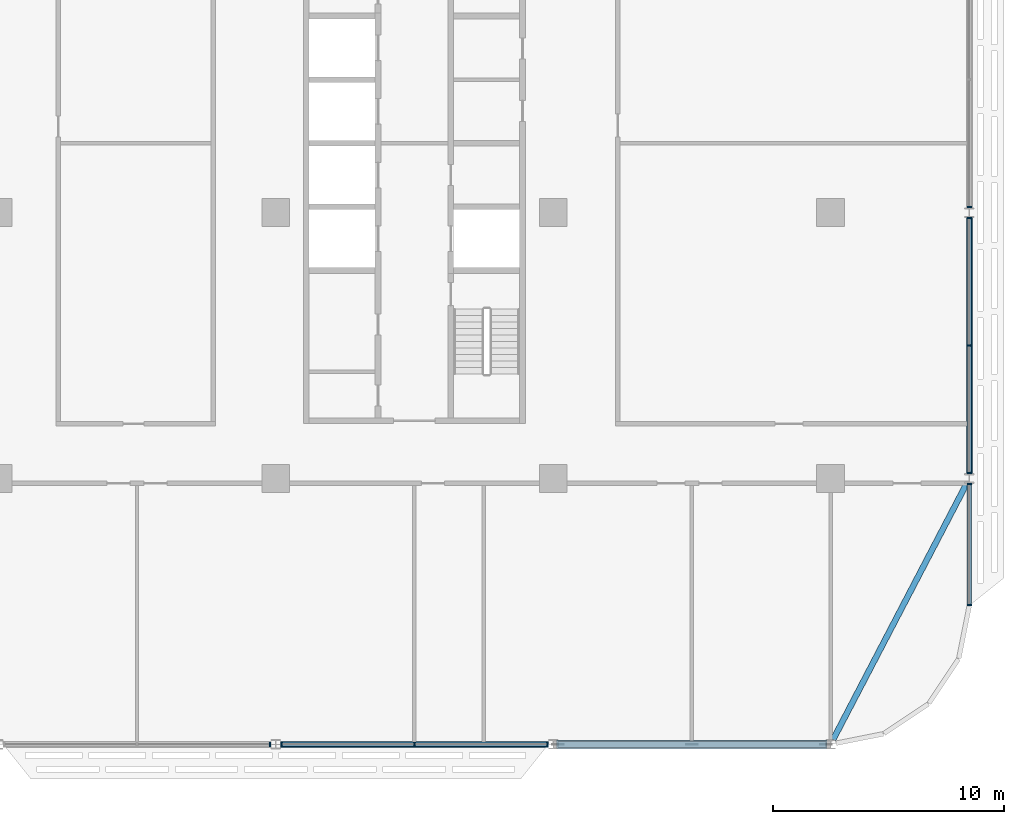
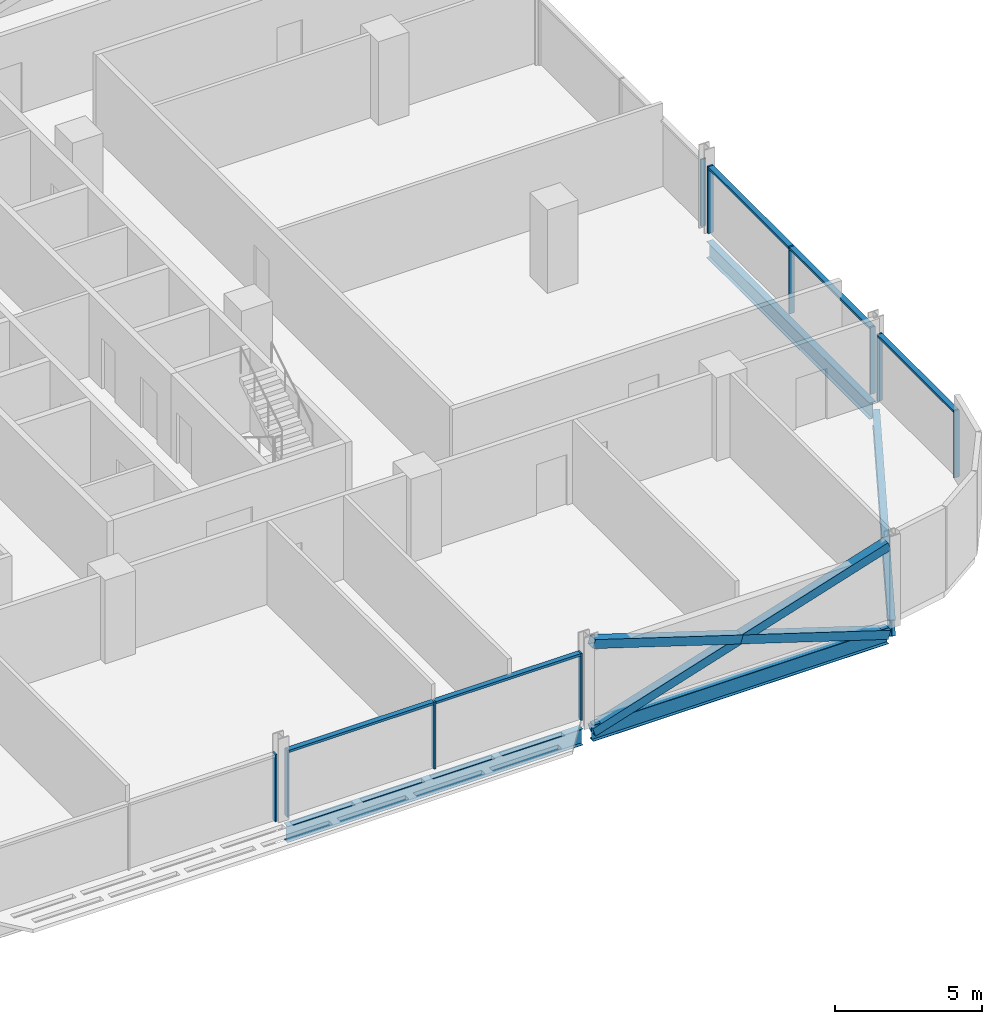
# One storey, part 8 of 27: 18 members, 4 beams, 5 elements without a shape of their own.
"""IFC4 building model written with IfcOpenShell, lengths in metres."""

from ifc_helpers import new_model, si_unit, direction, frame, origin, origin_2d, place, context, subcontext, project, spatial, rectangle, hollow_rectangle, i_section, extrude, material, material_profile, profile_set, type_object, element, aggregate, save


model = new_model("IFC4")

# Units and contexts
model_context = context("Model", 3, precision=1e-05, world=origin(), true_north=direction((0.0, 1.0)))
body_context = subcontext(model_context, "Body", "Model", "MODEL_VIEW")
ifc_project = project(units=[si_unit("LENGTHUNIT", "METRE"), si_unit("AREAUNIT", "SQUARE_METRE"), si_unit("VOLUMEUNIT", "CUBIC_METRE"), si_unit("PLANEANGLEUNIT", "RADIAN"), si_unit("MASSUNIT", "GRAM", prefix="KILO")], contexts=[model_context])

# Site, building, storey
site_placement = place(None, origin())
site = spatial("IfcSite", under=ifc_project, at=site_placement, CompositionType="ELEMENT")
building_placement = place(site_placement, origin())
building = spatial("IfcBuilding", under=site, at=building_placement, Name="Mahtab Terrace Research Tower", CompositionType="ELEMENT")
storey_placement = place(building_placement, frame((0.0, 0.0, 170.60009765625)))
storey = spatial("IfcBuildingStorey", under=building, at=storey_placement, Name="L40", CompositionType="ELEMENT", Elevation=170.60009765625)

# Members
ifc_material_1 = material(Name="Steel ASTM A500 Gr C", Category="steel")
ifc_material_profile_1 = material_profile(ifc_material_1, hollow_rectangle(XDim=0.355712890625, YDim=0.355712890625, WallThickness=0.015869140625, at=origin_2d()), Name="HSS14X14X5/8")
ifc_profile_set_1 = profile_set([ifc_material_profile_1], Name="Steel ASTM A500 Gr C")
member_type_1 = type_object("IfcMemberType", Name="HSS 14x14x5/8 brace XB141458", PredefinedType="BRACE", material=ifc_profile_set_1)
member_1_placement = place(storey_placement, frame((30.203125, -23.0, -0.61474609375), z_axis=(0.953347232701, 0.0, 0.301875891554), x_axis=(0.0, 1.0, 0.0)))
element("IfcMember", 1, at=member_1_placement, inside=storey, type_object=member_type_1, Name="Exoskeleton brace L40 18 a", PredefinedType="BRACE", context=body_context, shape_type="SweptSolid", body=[
    extrude(hollow_rectangle(XDim=0.355712890625, YDim=0.355712890625, WallThickness=0.015869140625, at=origin_2d()), origin(), (0.0, 0.0, 1.0), 12.1611328125),
])
for number, where, z_axis, x_axis, name in (
    (2, (41.796875, -23.0, -0.61474609375), (-0.953353010152, 0.0, 0.301857645313), (0.0, -1.0, 0.0), "Exoskeleton brace L40 18 b1"),
    (3, (36.0, -23.0, 1.220703125), (-0.953341454971, 0.0, 0.301894137463), (0.0, -1.0, 0.0), "Exoskeleton brace L40 18 b2"),
):
    element("IfcMember", number, at=place(storey_placement, frame(where, z_axis=z_axis, x_axis=x_axis)), inside=storey, type_object=member_type_1, Name=name, PredefinedType="BRACE", context=body_context, shape_type="SweptSolid", body=[
        extrude(hollow_rectangle(XDim=0.355712890625, YDim=0.355712890625, WallThickness=0.015869140625, at=origin_2d()), origin(), (0.0, 0.0, 1.0), 6.08056640625),
    ])

# Curtain wall, member
ifc_material_2 = material(Name="Laboratory ribbon curtain wall")
curtain_wall_type = type_object("IfcCurtainWallType", Name="Laboratory ribbon curtain wall", PredefinedType="NOTDEFINED", material=ifc_material_2)
curtain_wall_1_placement = place(storey_placement, origin())
curtain_wall_1 = element("IfcCurtainWall", 4, at=curtain_wall_1_placement, inside=storey, type_object=curtain_wall_type, Name="EN.L40.13.27", PredefinedType="NOTDEFINED")
ifc_material_3 = material(Name="Natural anodised aluminium", Category="aluminium")
ifc_material_profile_2 = material_profile(ifc_material_3, rectangle(XDim=0.199951171875, YDim=0.06494140625, at=origin_2d()), Name="MULLION 65x200")
ifc_profile_set_2 = profile_set([ifc_material_profile_2], Name="Natural anodised aluminium")
member_type_2 = type_object("IfcMemberType", Name="Laboratory ribbon curtain wall mullion", PredefinedType="MULLION", material=ifc_profile_set_2)
member_2_placement = place(storey_placement, frame((17.759521484375, -23.0, 0.0), z_axis=(0.0, 0.0, 1.0), x_axis=(0.0, 1.0, 0.0)))
member_2 = element("IfcMember", 5, at=member_2_placement, type_object=member_type_2, Name="CWL-5 mullion 3", PredefinedType="MULLION", context=body_context, shape_type="SweptSolid", body=[
    extrude(rectangle(XDim=0.199951171875, YDim=0.06494140625, at=origin_2d()), origin(), (0.0, 0.0, 1.0), 2.78173828125),
])
aggregate(curtain_wall_1, [member_2])

# Curtain wall, members
curtain_wall_2_placement = place(storey_placement, origin())
curtain_wall_2 = element("IfcCurtainWall", 6, at=curtain_wall_2_placement, inside=storey, type_object=curtain_wall_type, Name="EN.L40.13.28", PredefinedType="NOTDEFINED")
member_3_placement = place(storey_placement, frame((18.240478515625, -23.0, 0.0), z_axis=(0.0, 0.0, 1.0), x_axis=(0.0, 1.0, 0.0)))
member_3 = element("IfcMember", 7, at=member_3_placement, type_object=member_type_2, Name="CWL-5 mullion 1", PredefinedType="MULLION", context=body_context, shape_type="SweptSolid", body=[
    extrude(rectangle(XDim=0.199951171875, YDim=0.06494140625, at=origin_2d()), origin(), (0.0, 0.0, 1.0), 2.78173828125),
])
member_4_placement = place(storey_placement, frame((24.0, -23.0, 0.0), z_axis=(0.0, 0.0, 1.0), x_axis=(0.0, 1.0, 0.0)))
member_4 = element("IfcMember", 8, at=member_4_placement, type_object=member_type_2, Name="CWL-5 mullion 2", PredefinedType="MULLION", context=body_context, shape_type="SweptSolid", body=[
    extrude(rectangle(XDim=0.199951171875, YDim=0.06494140625, at=origin_2d()), origin(), (0.0, 0.0, 1.0), 2.78173828125),
])
member_5_placement = place(storey_placement, frame((29.759521484375, -23.0, 0.0), z_axis=(0.0, 0.0, 1.0), x_axis=(0.0, 1.0, 0.0)))
member_5 = element("IfcMember", 9, at=member_5_placement, type_object=member_type_2, Name="CWL-5 mullion 3", PredefinedType="MULLION", context=body_context, shape_type="SweptSolid", body=[
    extrude(rectangle(XDim=0.199951171875, YDim=0.06494140625, at=origin_2d()), origin(), (0.0, 0.0, 1.0), 2.78173828125),
])

curtain_wall_3_placement = place(storey_placement, origin())
curtain_wall_3 = element("IfcCurtainWall", 10, at=curtain_wall_3_placement, inside=storey, type_object=curtain_wall_type, Name="EN.L40.18.34", PredefinedType="NOTDEFINED")
member_6_placement = place(storey_placement, frame((48.0, -16.967529296875, 0.0), z_axis=(0.0, 0.0, 1.0), x_axis=(-1.0, 0.0, 0.0)))
member_6 = element("IfcMember", 11, at=member_6_placement, type_object=member_type_2, Name="CWL-5 mullion 1", PredefinedType="MULLION", context=body_context, shape_type="SweptSolid", body=[
    extrude(rectangle(XDim=0.199951171875, YDim=0.06494140625, at=origin_2d()), origin(), (0.0, 0.0, 1.0), 2.78173828125),
])
member_7_placement = place(storey_placement, frame((48.0, -11.740478515625, 0.0), z_axis=(0.0, 0.0, 1.0), x_axis=(-1.0, 0.0, 0.0)))
member_7 = element("IfcMember", 12, at=member_7_placement, type_object=member_type_2, Name="CWL-5 mullion 2", PredefinedType="MULLION", context=body_context, shape_type="SweptSolid", body=[
    extrude(rectangle(XDim=0.199951171875, YDim=0.06494140625, at=origin_2d()), origin(), (0.0, 0.0, 1.0), 2.78173828125),
])

curtain_wall_4_placement = place(storey_placement, origin())
curtain_wall_4 = element("IfcCurtainWall", 13, at=curtain_wall_4_placement, inside=storey, type_object=curtain_wall_type, Name="EN.L40.18.35", PredefinedType="NOTDEFINED")
member_8_placement = place(storey_placement, frame((48.0, -11.259521484375, 0.0), z_axis=(0.0, 0.0, 1.0), x_axis=(-1.0, 0.0, 0.0)))
member_8 = element("IfcMember", 14, at=member_8_placement, type_object=member_type_2, Name="CWL-5 mullion 1", PredefinedType="MULLION", context=body_context, shape_type="SweptSolid", body=[
    extrude(rectangle(XDim=0.199951171875, YDim=0.06494140625, at=origin_2d()), origin(), (0.0, 0.0, 1.0), 2.78173828125),
])
member_9_placement = place(storey_placement, frame((48.0, -5.75, 0.0), z_axis=(0.0, 0.0, 1.0), x_axis=(-1.0, 0.0, 0.0)))
member_9 = element("IfcMember", 15, at=member_9_placement, type_object=member_type_2, Name="CWL-5 mullion 2", PredefinedType="MULLION", context=body_context, shape_type="SweptSolid", body=[
    extrude(rectangle(XDim=0.199951171875, YDim=0.06494140625, at=origin_2d()), origin(), (0.0, 0.0, 1.0), 2.78173828125),
])
member_10_placement = place(storey_placement, frame((48.0, -0.240478515625, 0.0), z_axis=(0.0, 0.0, 1.0), x_axis=(-1.0, 0.0, 0.0)))
member_10 = element("IfcMember", 16, at=member_10_placement, type_object=member_type_2, Name="CWL-5 mullion 3", PredefinedType="MULLION", context=body_context, shape_type="SweptSolid", body=[
    extrude(rectangle(XDim=0.199951171875, YDim=0.06494140625, at=origin_2d()), origin(), (0.0, 0.0, 1.0), 2.78173828125),
])

# Curtain wall, member
curtain_wall_5_placement = place(storey_placement, origin())
curtain_wall_5 = element("IfcCurtainWall", 17, at=curtain_wall_5_placement, inside=storey, type_object=curtain_wall_type, Name="EN.L40.18.36", PredefinedType="NOTDEFINED")
member_11_placement = place(storey_placement, frame((48.0, 0.240478515625, 0.0), z_axis=(0.0, 0.0, 1.0), x_axis=(-1.0, 0.0, 0.0)))
member_11 = element("IfcMember", 18, at=member_11_placement, type_object=member_type_2, Name="CWL-5 mullion 1", PredefinedType="MULLION", context=body_context, shape_type="SweptSolid", body=[
    extrude(rectangle(XDim=0.199951171875, YDim=0.06494140625, at=origin_2d()), origin(), (0.0, 0.0, 1.0), 2.78173828125),
])
aggregate(curtain_wall_5, [member_11])

# Member
ifc_material_profile_3 = material_profile(ifc_material_3, rectangle(XDim=0.199951171875, YDim=0.10009765625, at=origin_2d()), Name="TRANSOM 100x200")
ifc_profile_set_3 = profile_set([ifc_material_profile_3], Name="Natural anodised aluminium")
member_type_3 = type_object("IfcMemberType", Name="Laboratory ribbon curtain wall transom", PredefinedType="USERDEFINED", material=ifc_profile_set_3)
member_12_placement = place(storey_placement, frame((18.27294921875, -23.0, 2.731689453125), z_axis=(1.0, 0.0, 0.0), x_axis=(0.0, 1.0, 0.0)))
member_12 = element("IfcMember", 19, at=member_12_placement, type_object=member_type_3, Name="CWL-5 transom 1", ObjectType="TRANSOM", PredefinedType="USERDEFINED", context=body_context, shape_type="SweptSolid", body=[
    extrude(rectangle(XDim=0.199951171875, YDim=0.10009765625, at=origin_2d()), origin(), (0.0, 0.0, 1.0), 5.694580078125),
])

member_13_placement = place(storey_placement, frame((24.032470703125, -23.0, 2.731689453125), z_axis=(1.0, 0.0, 0.0), x_axis=(0.0, 1.0, 0.0)))
member_13 = element("IfcMember", 20, at=member_13_placement, type_object=member_type_3, Name="CWL-5 transom 2", ObjectType="TRANSOM", PredefinedType="USERDEFINED", context=body_context, shape_type="SweptSolid", body=[
    extrude(rectangle(XDim=0.199951171875, YDim=0.10009765625, at=origin_2d()), origin(), (0.0, 0.0, 1.0), 5.694580078125),
])

aggregate(curtain_wall_2, [member_3, member_4, member_5, member_12, member_13])

member_14_placement = place(storey_placement, frame((48.0, -16.93505859375, 2.731689453125), z_axis=(0.0, 1.0, 0.0), x_axis=(-1.0, 0.0, 0.0)))
member_14 = element("IfcMember", 21, at=member_14_placement, type_object=member_type_3, Name="CWL-5 transom 1", ObjectType="TRANSOM", PredefinedType="USERDEFINED", context=body_context, shape_type="SweptSolid", body=[
    extrude(rectangle(XDim=0.199951171875, YDim=0.10009765625, at=origin_2d()), origin(), (0.0, 0.0, 1.0), 5.162109375),
])

aggregate(curtain_wall_3, [member_6, member_7, member_14])

member_15_placement = place(storey_placement, frame((48.0, -11.22705078125, 2.731689453125), z_axis=(0.0, 1.0, 0.0), x_axis=(-1.0, 0.0, 0.0)))
member_15 = element("IfcMember", 22, at=member_15_placement, type_object=member_type_3, Name="CWL-5 transom 1", ObjectType="TRANSOM", PredefinedType="USERDEFINED", context=body_context, shape_type="SweptSolid", body=[
    extrude(rectangle(XDim=0.199951171875, YDim=0.10009765625, at=origin_2d()), origin(), (0.0, 0.0, 1.0), 5.444580078125),
])

member_16_placement = place(storey_placement, frame((48.0, -5.717529296875, 2.731689453125), z_axis=(0.0, 1.0, 0.0), x_axis=(-1.0, 0.0, 0.0)))
member_16 = element("IfcMember", 23, at=member_16_placement, type_object=member_type_3, Name="CWL-5 transom 2", ObjectType="TRANSOM", PredefinedType="USERDEFINED", context=body_context, shape_type="SweptSolid", body=[
    extrude(rectangle(XDim=0.199951171875, YDim=0.10009765625, at=origin_2d()), origin(), (0.0, 0.0, 1.0), 5.444580078125),
])

aggregate(curtain_wall_4, [member_8, member_9, member_10, member_15, member_16])

# Beams
ifc_material_4 = material(Name="Steel ASTM A992 Gr 50", Category="steel")
ifc_material_profile_4 = material_profile(ifc_material_4, i_section(OverallWidth=0.25390625, OverallDepth=0.67822265625, WebThickness=0.01171875, FlangeThickness=0.016357421875, at=origin_2d()), Name="W27X84")
ifc_profile_set_4 = profile_set([ifc_material_profile_4], Name="Steel ASTM A992 Gr 50")
beam_type = type_object("IfcBeamType", Name="W27x84 beam BS2784", PredefinedType="BEAM", material=ifc_profile_set_4)
for number, where, z_axis, x_axis, name in (
    (24, (18.203125, -23.0, -0.67919921875), (1.0, 0.0, 0.0), (0.0, 1.0, 0.0), "Spandrel beam L40 17"),
    (25, (30.203125, -23.0, -0.67919921875), (1.0, 0.0, 0.0), (0.0, 1.0, 0.0), "Spandrel beam L40 18"),
):
    element("IfcBeam", number, at=place(storey_placement, frame(where, z_axis=z_axis, x_axis=x_axis)), inside=storey, type_object=beam_type, Name=name, PredefinedType="BEAM", context=body_context, shape_type="SweptSolid", body=[
        extrude(i_section(OverallWidth=0.25390625, OverallDepth=0.67822265625, WebThickness=0.01171875, FlangeThickness=0.016357421875, at=origin_2d()), origin(), (0.0, 0.0, 1.0), 11.59375),
    ])
beam_1_placement = place(storey_placement, frame((42.108642578125, -22.791748046875, -0.67919921875), z_axis=(0.462567341525, 0.886584149731, 0.0), x_axis=(-0.886584149731, 0.462567341525, 0.0)))
element("IfcBeam", 26, at=beam_1_placement, inside=storey, type_object=beam_type, Name="Spandrel beam L40 19", PredefinedType="BEAM", context=body_context, shape_type="SweptSolid", body=[
    extrude(i_section(OverallWidth=0.25390625, OverallDepth=0.67822265625, WebThickness=0.01171875, FlangeThickness=0.016357421875, at=origin_2d()), origin(), (0.0, 0.0, 1.0), 12.50146484375),
])
beam_2_placement = place(storey_placement, frame((48.0, -11.291748046875, -0.67919921875), z_axis=(0.0, 1.0, 0.0), x_axis=(-1.0, 0.0, 0.0)))
element("IfcBeam", 27, at=beam_2_placement, inside=storey, type_object=beam_type, Name="Spandrel beam L40 20", PredefinedType="BEAM", context=body_context, shape_type="SweptSolid", body=[
    extrude(i_section(OverallWidth=0.25390625, OverallDepth=0.67822265625, WebThickness=0.01171875, FlangeThickness=0.016357421875, at=origin_2d()), origin(), (0.0, 0.0, 1.0), 11.08349609375),
])

save(model, "model.ifc")
